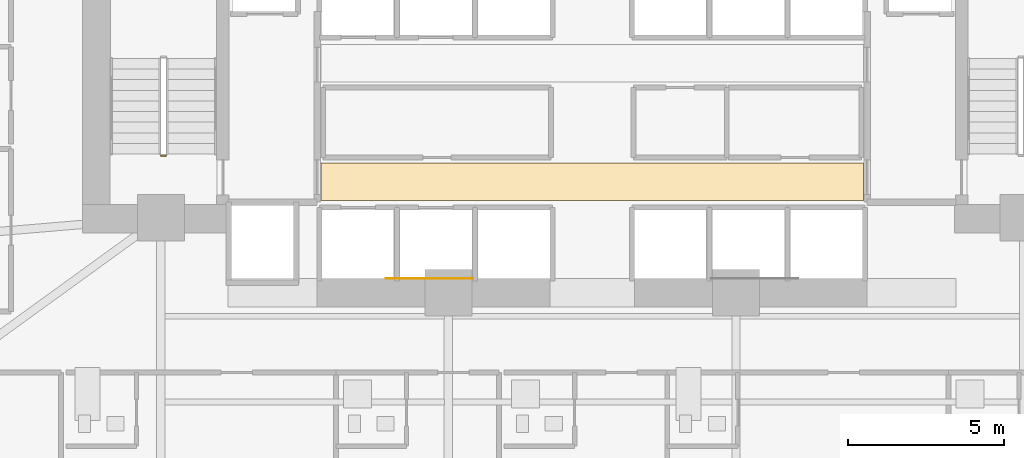
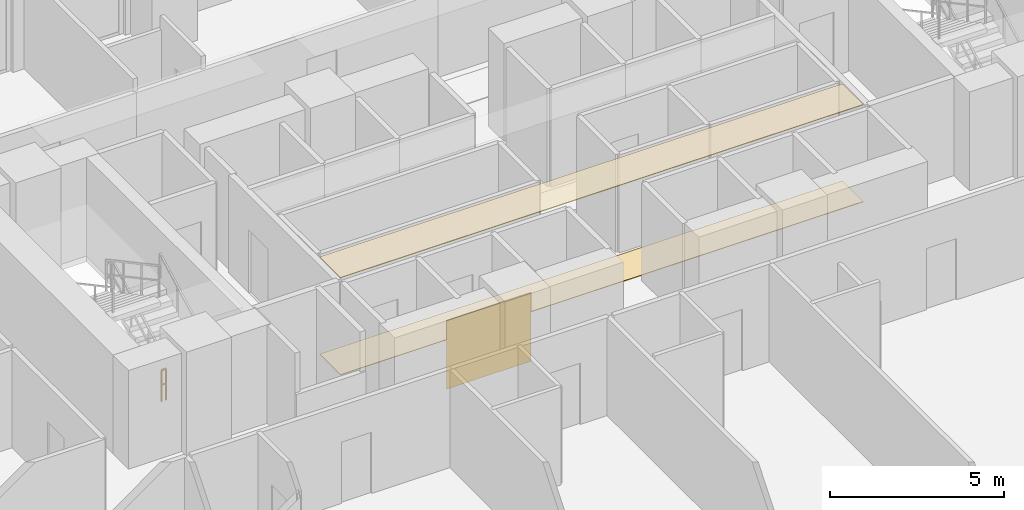
# One storey, part 24 of 29: 3 coverings, 1 railing.
"""IFC4 building model written with IfcOpenShell, lengths in metres."""

from ifc_helpers import new_model, si_unit, direction, frame, origin, origin_2d, place, context, subcontext, project, spatial, polyline, rectangle, outline, extrude, material, layer, layer_set, type_object, element, save


model = new_model("IFC4")

# Units and contexts
model_context = context("Model", 3, precision=1e-05, world=origin(), true_north=direction((0.0, 1.0)))
body_context = subcontext(model_context, "Body", "Model", "MODEL_VIEW")
ifc_project = project(units=[si_unit("LENGTHUNIT", "METRE"), si_unit("AREAUNIT", "SQUARE_METRE"), si_unit("VOLUMEUNIT", "CUBIC_METRE"), si_unit("PLANEANGLEUNIT", "RADIAN"), si_unit("MASSUNIT", "GRAM", prefix="KILO")], contexts=[model_context])

# Site, building, storey
site_placement = place(None, origin())
site = spatial("IfcSite", under=ifc_project, at=site_placement, CompositionType="ELEMENT")
building_placement = place(site_placement, origin())
building = spatial("IfcBuilding", under=site, at=building_placement, Name="Zuhayl Quay Hotel", CompositionType="ELEMENT")
storey_placement = place(building_placement, frame((0.0, 0.0, 45.85009765625)))
storey = spatial("IfcBuildingStorey", under=building, at=storey_placement, Name="L10", CompositionType="ELEMENT", Elevation=45.85009765625)

# Coverings
ifc_material_1 = material(Name="Acoustic Mineral-Fibre Gypsum Board")
ifc_layer_1 = layer(ifc_material_1, 0.02490234375, Name="Acoustic Mineral-Fibre Gypsum Board")
ifc_layer_set_1 = layer_set([ifc_layer_1], Name="Acoustic Mineral-Fibre Gypsum Board")
covering_type_1 = type_object("IfcCoveringType", Name="CV_CEIL_ACOUSTIC", PredefinedType="CEILING", material=ifc_layer_set_1)
covering_1_placement = place(storey_placement, frame((0.0, 0.0, 3.40478515625)))
element("IfcCovering", 1, at=covering_1_placement, inside=storey, type_object=covering_type_1, Name="L10 Suspended Acoustic Lobby Ceiling S", PredefinedType="CEILING", context=body_context, shape_type="SweptSolid", body=[
    extrude(outline(polyline([(-8.679931640625, 5.10009765625), (8.679931640625, 5.10009765625), (8.679931640625, 6.300048828125), (-8.679931640625, 6.300048828125), (-8.679931640625, 5.10009765625)])), origin(), (0.0, 0.0, 1.0), 0.025146484375),
])
ifc_material_2 = material(Name="Polished Limestone Terrazzo", Category="masonry")
ifc_layer_2 = layer(ifc_material_2, 0.02001953125, Name="Polished Limestone Terrazzo", Category="masonry")
ifc_layer_set_2 = layer_set([ifc_layer_2], Name="Polished Limestone Terrazzo")
covering_type_2 = type_object("IfcCoveringType", Name="CV_FLOOR_TERRAZZO", PredefinedType="FLOORING", material=ifc_layer_set_2)
covering_2_placement = place(storey_placement, origin())
element("IfcCovering", 2, at=covering_2_placement, inside=storey, type_object=covering_type_2, Name="L10 Honed Limestone Terrazzo Lobby Flooring S", PredefinedType="FLOORING", context=body_context, shape_type="SweptSolid", body=[
    extrude(outline(polyline([(-8.679931640625, 5.10009765625), (8.679931640625, 5.10009765625), (8.679931640625, 6.300048828125), (-8.679931640625, 6.300048828125), (-8.679931640625, 5.10009765625)])), origin(), (0.0, 0.0, 1.0), 0.02001953125),
])
ifc_material_3 = material(Name="Acoustic Walnut Feature Timber", Category="wood")
ifc_layer_3 = layer(ifc_material_3, 0.02197265625, Name="Acoustic Walnut Feature Timber", Category="wood")
ifc_layer_set_3 = layer_set([ifc_layer_3], Name="Acoustic Walnut Feature Timber")
covering_type_3 = type_object("IfcCoveringType", Name="CV_WALL_CLAD", PredefinedType="CLADDING", material=ifc_layer_set_3)
covering_3_placement = place(storey_placement, frame((-5.199951171875, 2.611083984375, 0.300048828125), z_axis=(0.0, 0.0, 1.0), x_axis=(1.0, 0.0, 0.0)))
element("IfcCovering", 3, at=covering_3_placement, inside=storey, type_object=covering_type_3, Name="L10 Feature Lobby Walnut Wall Cladding W", PredefinedType="CLADDING", context=body_context, shape_type="SweptSolid", body=[
    extrude(rectangle(XDim=2.800048828125, YDim=0.02197265625, at=origin_2d()), origin(), (0.0, 0.0, 1.0), 2.39990234375),
])

# Railing
ifc_material_4 = material(Name="Steel ASTM A992 Grade 50", Category="steel")
railing_type = type_object("IfcRailingType", Name="RL_GUARD_1100", PredefinedType="GUARDRAIL", material=ifc_material_4)
railing_placement = place(storey_placement, frame((-13.639892578125, 6.5400390625, 0.0)))
element("IfcRailing", 4, at=railing_placement, inside=storey, type_object=railing_type, Name="L10 ST1 stair guard 4", PredefinedType="GUARDRAIL", context=body_context, shape_type="SweptSolid", body=[
    extrude(rectangle(XDim=0.048095703125, YDim=0.048095703125, at=origin_2d()), frame((0.0, 0.0, 1.09619140625), z_axis=(-1.0, 0.0, 0.0), x_axis=(0.0, -1.0, 0.0)), (0.0, 0.0, 1.0), 0.150146484375),
    extrude(rectangle(XDim=0.0361328125, YDim=0.0361328125, at=origin_2d()), frame((0.0, 0.0, 0.58251953125), z_axis=(-1.0, 0.0, 0.0), x_axis=(0.0, -1.0, 0.0)), (0.0, 0.0, 1.0), 0.150146484375),
    extrude(rectangle(XDim=0.0419921875, YDim=0.0419921875, at=origin_2d()), origin(), (0.0, 0.0, 1.0), 1.072021484375),
    extrude(rectangle(XDim=0.0419921875, YDim=0.0419921875, at=origin_2d()), frame((-0.150146484375, 0.0, 0.0)), (0.0, 0.0, 1.0), 1.072021484375),
])

save(model, "model.ifc")
